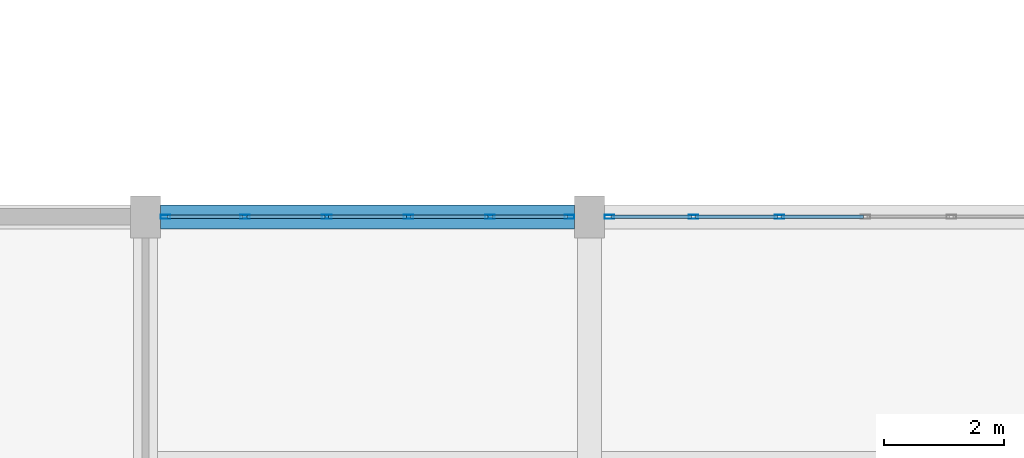
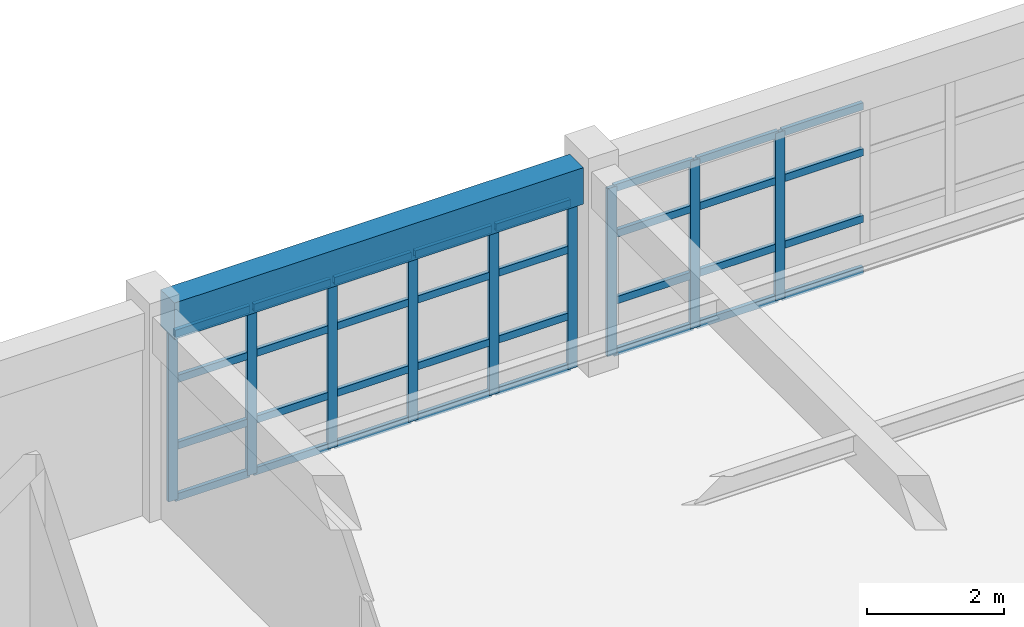
# One storey, part 26 of 150: 41 members, 1 beam, 2 elements without a shape of their own.
"""IFC4 building model written with IfcOpenShell, lengths in metres."""

from ifc_helpers import new_model, si_unit, direction, frame, origin, origin_2d, place, context, subcontext, project, spatial, rectangle, hollow_rectangle, extrude, material, material_profile, profile_set, type_object, element, aggregate, save


model = new_model("IFC4")

# Units and contexts
model_context = context("Model", 3, precision=1e-05, world=origin(), true_north=direction((0.0, 1.0)))
body_context = subcontext(model_context, "Body", "Model", "MODEL_VIEW")
ifc_project = project(units=[si_unit("LENGTHUNIT", "METRE"), si_unit("AREAUNIT", "SQUARE_METRE"), si_unit("VOLUMEUNIT", "CUBIC_METRE"), si_unit("PLANEANGLEUNIT", "RADIAN"), si_unit("MASSUNIT", "GRAM", prefix="KILO")], contexts=[model_context])

# Site, building, storey
site_placement = place(None, origin())
site = spatial("IfcSite", under=ifc_project, at=site_placement, CompositionType="ELEMENT")
building_placement = place(site_placement, origin())
building = spatial("IfcBuilding", under=site, at=building_placement, Name="Kestramere Prow Commons", CompositionType="ELEMENT")
storey_placement = place(building_placement, frame((0.0, 0.0, 4.5)))
storey = spatial("IfcBuildingStorey", under=building, at=storey_placement, Name="L01", CompositionType="ELEMENT", Elevation=4.5)

# Beam
ifc_material_1 = material(Name="Precast concrete C40/50", Category="concrete")
ifc_material_profile_1 = material_profile(ifc_material_1, rectangle(XDim=0.39990234375, YDim=0.64990234375, at=origin_2d()), Name="PC-BM 400x650")
ifc_profile_set_1 = profile_set([ifc_material_profile_1], Name="Precast concrete C40/50")
beam_type = type_object("IfcBeamType", Name="BM-MK-01 PC-BM 400x650 (EX)", PredefinedType="BEAM", material=ifc_profile_set_1)
beam_placement = place(storey_placement, frame((68.64990234375, 24.0, 3.324951171875), z_axis=(1.0, 0.0, 0.0), x_axis=(0.0, 1.0, 0.0)))
element("IfcBeam", 1, at=beam_placement, inside=storey, type_object=beam_type, Name="Market Spine L01 Beam X 3-2", PredefinedType="BEAM", context=body_context, shape_type="SweptSolid", body=[
    extrude(rectangle(XDim=0.39990234375, YDim=0.64990234375, at=origin_2d()), origin(), (0.0, 0.0, 1.0), 6.900146484375),
])

# Curtain wall, members
ifc_material_2 = material(Name="Anodised Aluminium and Low-E Glass", Category="aluminium")
curtain_wall_type_1 = type_object("IfcCurtainWallType", Name="CW-24 Glazed Curtain Wall 6800x2990", PredefinedType="USERDEFINED", material=ifc_material_2)
curtain_wall_1_placement = place(storey_placement, origin())
curtain_wall_1 = element("IfcCurtainWall", 2, at=curtain_wall_1_placement, inside=storey, type_object=curtain_wall_type_1, Name="Market L01 Courtyard Shopfront 2", ObjectType="GLAZED CURTAIN WALL", PredefinedType="USERDEFINED")
ifc_material_3 = material(Name="Anodised Aluminium 6063-T6", Category="aluminium")
ifc_material_profile_2 = material_profile(ifc_material_3, hollow_rectangle(XDim=0.06494140625, YDim=0.159912109375, WallThickness=0.00390625, at=origin_2d()), Name="ALU-MUL 65x160")
ifc_profile_set_2 = profile_set([ifc_material_profile_2], Name="Anodised Aluminium 6063-T6")
member_type_1 = type_object("IfcMemberType", Name="CW-MUL-65x160", PredefinedType="MULLION", material=ifc_profile_set_2)
member_1_placement = place(storey_placement, frame((68.732421875, 24.0, 0.0), z_axis=(0.0, 0.0, 1.0), x_axis=(0.0, 1.0, 0.0)))
member_1 = element("IfcMember", 3, at=member_1_placement, type_object=member_type_1, Name="CW-24 mullion 1", PredefinedType="MULLION", context=body_context, shape_type="SweptSolid", body=[
    extrude(hollow_rectangle(XDim=0.06494140625, YDim=0.159912109375, WallThickness=0.00390625, at=origin_2d()), origin(), (0.0, 0.0, 1.0), 2.989990234375),
])
member_2_placement = place(storey_placement, frame((70.06005859375, 24.0, 0.0), z_axis=(0.0, 0.0, 1.0), x_axis=(0.0, 1.0, 0.0)))
member_2 = element("IfcMember", 4, at=member_2_placement, type_object=member_type_1, Name="CW-24 mullion 2", PredefinedType="MULLION", context=body_context, shape_type="SweptSolid", body=[
    extrude(hollow_rectangle(XDim=0.06494140625, YDim=0.159912109375, WallThickness=0.00390625, at=origin_2d()), origin(), (0.0, 0.0, 1.0), 2.989990234375),
])
member_3_placement = place(storey_placement, frame((71.419921875, 24.0, 0.0), z_axis=(0.0, 0.0, 1.0), x_axis=(0.0, 1.0, 0.0)))
member_3 = element("IfcMember", 5, at=member_3_placement, type_object=member_type_1, Name="CW-24 mullion 3", PredefinedType="MULLION", context=body_context, shape_type="SweptSolid", body=[
    extrude(hollow_rectangle(XDim=0.06494140625, YDim=0.159912109375, WallThickness=0.00390625, at=origin_2d()), origin(), (0.0, 0.0, 1.0), 2.989990234375),
])
member_4_placement = place(storey_placement, frame((72.780029296875, 24.0, 0.0), z_axis=(0.0, 0.0, 1.0), x_axis=(0.0, 1.0, 0.0)))
member_4 = element("IfcMember", 6, at=member_4_placement, type_object=member_type_1, Name="CW-24 mullion 4", PredefinedType="MULLION", context=body_context, shape_type="SweptSolid", body=[
    extrude(hollow_rectangle(XDim=0.06494140625, YDim=0.159912109375, WallThickness=0.00390625, at=origin_2d()), origin(), (0.0, 0.0, 1.0), 2.989990234375),
])
member_5_placement = place(storey_placement, frame((74.139892578125, 24.0, 0.0), z_axis=(0.0, 0.0, 1.0), x_axis=(0.0, 1.0, 0.0)))
member_5 = element("IfcMember", 7, at=member_5_placement, type_object=member_type_1, Name="CW-24 mullion 5", PredefinedType="MULLION", context=body_context, shape_type="SweptSolid", body=[
    extrude(hollow_rectangle(XDim=0.06494140625, YDim=0.159912109375, WallThickness=0.00390625, at=origin_2d()), origin(), (0.0, 0.0, 1.0), 2.989990234375),
])
member_6_placement = place(storey_placement, frame((75.467529296875, 24.0, 0.0), z_axis=(0.0, 0.0, 1.0), x_axis=(0.0, 1.0, 0.0)))
member_6 = element("IfcMember", 8, at=member_6_placement, type_object=member_type_1, Name="CW-24 mullion 6", PredefinedType="MULLION", context=body_context, shape_type="SweptSolid", body=[
    extrude(hollow_rectangle(XDim=0.06494140625, YDim=0.159912109375, WallThickness=0.00390625, at=origin_2d()), origin(), (0.0, 0.0, 1.0), 2.989990234375),
])

curtain_wall_type_2 = type_object("IfcCurtainWallType", Name="CW-25 Glazed Curtain Wall 8600x2990", PredefinedType="USERDEFINED", material=ifc_material_2)
curtain_wall_2_placement = place(storey_placement, origin())
curtain_wall_2 = element("IfcCurtainWall", 9, at=curtain_wall_2_placement, inside=storey, type_object=curtain_wall_type_2, Name="Market L01 Courtyard Shopfront 3", ObjectType="GLAZED CURTAIN WALL", PredefinedType="USERDEFINED")
member_7_placement = place(storey_placement, frame((76.132568359375, 24.0, 0.0), z_axis=(0.0, 0.0, 1.0), x_axis=(0.0, 1.0, 0.0)))
member_7 = element("IfcMember", 10, at=member_7_placement, type_object=member_type_1, Name="CW-25 mullion 1", PredefinedType="MULLION", context=body_context, shape_type="SweptSolid", body=[
    extrude(hollow_rectangle(XDim=0.06494140625, YDim=0.159912109375, WallThickness=0.00390625, at=origin_2d()), origin(), (0.0, 0.0, 1.0), 2.989990234375),
])
member_8_placement = place(storey_placement, frame((77.533447265625, 24.0, 0.0), z_axis=(0.0, 0.0, 1.0), x_axis=(0.0, 1.0, 0.0)))
member_8 = element("IfcMember", 11, at=member_8_placement, type_object=member_type_1, Name="CW-25 mullion 2", PredefinedType="MULLION", context=body_context, shape_type="SweptSolid", body=[
    extrude(hollow_rectangle(XDim=0.06494140625, YDim=0.159912109375, WallThickness=0.00390625, at=origin_2d()), origin(), (0.0, 0.0, 1.0), 2.989990234375),
])
member_9_placement = place(storey_placement, frame((78.966552734375, 24.0, 0.0), z_axis=(0.0, 0.0, 1.0), x_axis=(0.0, 1.0, 0.0)))
member_9 = element("IfcMember", 12, at=member_9_placement, type_object=member_type_1, Name="CW-25 mullion 3", PredefinedType="MULLION", context=body_context, shape_type="SweptSolid", body=[
    extrude(hollow_rectangle(XDim=0.06494140625, YDim=0.159912109375, WallThickness=0.00390625, at=origin_2d()), origin(), (0.0, 0.0, 1.0), 2.989990234375),
])

# Member
ifc_material_profile_3 = material_profile(ifc_material_3, hollow_rectangle(XDim=0.06494140625, YDim=0.1298828125, WallThickness=0.00390625, at=origin_2d()), Name="ALU-TRN 65x130")
ifc_profile_set_3 = profile_set([ifc_material_profile_3], Name="Anodised Aluminium 6063-T6")
member_type_2 = type_object("IfcMemberType", Name="CW-TRN-65x130", PredefinedType="USERDEFINED", material=ifc_profile_set_3)
member_10_placement = place(storey_placement, frame((68.764892578125, 24.0, 0.032470703125), z_axis=(1.0, 0.0, 0.0), x_axis=(0.0, 1.0, 0.0)))
member_10 = element("IfcMember", 13, at=member_10_placement, type_object=member_type_2, Name="CW-24 transom 1.1", ObjectType="TRANSOM", PredefinedType="USERDEFINED", context=body_context, shape_type="SweptSolid", body=[
    extrude(hollow_rectangle(XDim=0.06494140625, YDim=0.1298828125, WallThickness=0.00390625, at=origin_2d()), origin(), (0.0, 0.0, 1.0), 1.2626953125),
])

member_11_placement = place(storey_placement, frame((68.764892578125, 24.0, 0.949951171875), z_axis=(1.0, 0.0, 0.0), x_axis=(0.0, 1.0, 0.0)))
member_11 = element("IfcMember", 14, at=member_11_placement, type_object=member_type_2, Name="CW-24 transom 1.2", ObjectType="TRANSOM", PredefinedType="USERDEFINED", context=body_context, shape_type="SweptSolid", body=[
    extrude(hollow_rectangle(XDim=0.06494140625, YDim=0.1298828125, WallThickness=0.00390625, at=origin_2d()), origin(), (0.0, 0.0, 1.0), 1.2626953125),
])

member_12_placement = place(storey_placement, frame((68.764892578125, 24.0, 2.139892578125), z_axis=(1.0, 0.0, 0.0), x_axis=(0.0, 1.0, 0.0)))
member_12 = element("IfcMember", 15, at=member_12_placement, type_object=member_type_2, Name="CW-24 transom 1.3", ObjectType="TRANSOM", PredefinedType="USERDEFINED", context=body_context, shape_type="SweptSolid", body=[
    extrude(hollow_rectangle(XDim=0.06494140625, YDim=0.1298828125, WallThickness=0.00390625, at=origin_2d()), origin(), (0.0, 0.0, 1.0), 1.2626953125),
])

member_13_placement = place(storey_placement, frame((68.764892578125, 24.0, 2.95751953125), z_axis=(1.0, 0.0, 0.0), x_axis=(0.0, 1.0, 0.0)))
member_13 = element("IfcMember", 16, at=member_13_placement, type_object=member_type_2, Name="CW-24 transom 1.4", ObjectType="TRANSOM", PredefinedType="USERDEFINED", context=body_context, shape_type="SweptSolid", body=[
    extrude(hollow_rectangle(XDim=0.06494140625, YDim=0.1298828125, WallThickness=0.00390625, at=origin_2d()), origin(), (0.0, 0.0, 1.0), 1.2626953125),
])

member_14_placement = place(storey_placement, frame((70.092529296875, 24.0, 0.032470703125), z_axis=(1.0, 0.0, 0.0), x_axis=(0.0, 1.0, 0.0)))
member_14 = element("IfcMember", 17, at=member_14_placement, type_object=member_type_2, Name="CW-24 transom 2.1", ObjectType="TRANSOM", PredefinedType="USERDEFINED", context=body_context, shape_type="SweptSolid", body=[
    extrude(hollow_rectangle(XDim=0.06494140625, YDim=0.1298828125, WallThickness=0.00390625, at=origin_2d()), origin(), (0.0, 0.0, 1.0), 1.294921875),
])

member_15_placement = place(storey_placement, frame((70.092529296875, 24.0, 0.949951171875), z_axis=(1.0, 0.0, 0.0), x_axis=(0.0, 1.0, 0.0)))
member_15 = element("IfcMember", 18, at=member_15_placement, type_object=member_type_2, Name="CW-24 transom 2.2", ObjectType="TRANSOM", PredefinedType="USERDEFINED", context=body_context, shape_type="SweptSolid", body=[
    extrude(hollow_rectangle(XDim=0.06494140625, YDim=0.1298828125, WallThickness=0.00390625, at=origin_2d()), origin(), (0.0, 0.0, 1.0), 1.294921875),
])

member_16_placement = place(storey_placement, frame((70.092529296875, 24.0, 2.139892578125), z_axis=(1.0, 0.0, 0.0), x_axis=(0.0, 1.0, 0.0)))
member_16 = element("IfcMember", 19, at=member_16_placement, type_object=member_type_2, Name="CW-24 transom 2.3", ObjectType="TRANSOM", PredefinedType="USERDEFINED", context=body_context, shape_type="SweptSolid", body=[
    extrude(hollow_rectangle(XDim=0.06494140625, YDim=0.1298828125, WallThickness=0.00390625, at=origin_2d()), origin(), (0.0, 0.0, 1.0), 1.294921875),
])

member_17_placement = place(storey_placement, frame((70.092529296875, 24.0, 2.95751953125), z_axis=(1.0, 0.0, 0.0), x_axis=(0.0, 1.0, 0.0)))
member_17 = element("IfcMember", 20, at=member_17_placement, type_object=member_type_2, Name="CW-24 transom 2.4", ObjectType="TRANSOM", PredefinedType="USERDEFINED", context=body_context, shape_type="SweptSolid", body=[
    extrude(hollow_rectangle(XDim=0.06494140625, YDim=0.1298828125, WallThickness=0.00390625, at=origin_2d()), origin(), (0.0, 0.0, 1.0), 1.294921875),
])

member_18_placement = place(storey_placement, frame((71.452392578125, 24.0, 0.032470703125), z_axis=(1.0, 0.0, 0.0), x_axis=(0.0, 1.0, 0.0)))
member_18 = element("IfcMember", 21, at=member_18_placement, type_object=member_type_2, Name="CW-24 transom 3.1", ObjectType="TRANSOM", PredefinedType="USERDEFINED", context=body_context, shape_type="SweptSolid", body=[
    extrude(hollow_rectangle(XDim=0.06494140625, YDim=0.1298828125, WallThickness=0.00390625, at=origin_2d()), origin(), (0.0, 0.0, 1.0), 1.295166015625),
])

member_19_placement = place(storey_placement, frame((71.452392578125, 24.0, 0.949951171875), z_axis=(1.0, 0.0, 0.0), x_axis=(0.0, 1.0, 0.0)))
member_19 = element("IfcMember", 22, at=member_19_placement, type_object=member_type_2, Name="CW-24 transom 3.2", ObjectType="TRANSOM", PredefinedType="USERDEFINED", context=body_context, shape_type="SweptSolid", body=[
    extrude(hollow_rectangle(XDim=0.06494140625, YDim=0.1298828125, WallThickness=0.00390625, at=origin_2d()), origin(), (0.0, 0.0, 1.0), 1.295166015625),
])

member_20_placement = place(storey_placement, frame((71.452392578125, 24.0, 2.139892578125), z_axis=(1.0, 0.0, 0.0), x_axis=(0.0, 1.0, 0.0)))
member_20 = element("IfcMember", 23, at=member_20_placement, type_object=member_type_2, Name="CW-24 transom 3.3", ObjectType="TRANSOM", PredefinedType="USERDEFINED", context=body_context, shape_type="SweptSolid", body=[
    extrude(hollow_rectangle(XDim=0.06494140625, YDim=0.1298828125, WallThickness=0.00390625, at=origin_2d()), origin(), (0.0, 0.0, 1.0), 1.295166015625),
])

member_21_placement = place(storey_placement, frame((71.452392578125, 24.0, 2.95751953125), z_axis=(1.0, 0.0, 0.0), x_axis=(0.0, 1.0, 0.0)))
member_21 = element("IfcMember", 24, at=member_21_placement, type_object=member_type_2, Name="CW-24 transom 3.4", ObjectType="TRANSOM", PredefinedType="USERDEFINED", context=body_context, shape_type="SweptSolid", body=[
    extrude(hollow_rectangle(XDim=0.06494140625, YDim=0.1298828125, WallThickness=0.00390625, at=origin_2d()), origin(), (0.0, 0.0, 1.0), 1.295166015625),
])

member_22_placement = place(storey_placement, frame((72.8125, 24.0, 0.032470703125), z_axis=(1.0, 0.0, 0.0), x_axis=(0.0, 1.0, 0.0)))
member_22 = element("IfcMember", 25, at=member_22_placement, type_object=member_type_2, Name="CW-24 transom 4.1", ObjectType="TRANSOM", PredefinedType="USERDEFINED", context=body_context, shape_type="SweptSolid", body=[
    extrude(hollow_rectangle(XDim=0.06494140625, YDim=0.1298828125, WallThickness=0.00390625, at=origin_2d()), origin(), (0.0, 0.0, 1.0), 1.294921875),
])

member_23_placement = place(storey_placement, frame((72.8125, 24.0, 0.949951171875), z_axis=(1.0, 0.0, 0.0), x_axis=(0.0, 1.0, 0.0)))
member_23 = element("IfcMember", 26, at=member_23_placement, type_object=member_type_2, Name="CW-24 transom 4.2", ObjectType="TRANSOM", PredefinedType="USERDEFINED", context=body_context, shape_type="SweptSolid", body=[
    extrude(hollow_rectangle(XDim=0.06494140625, YDim=0.1298828125, WallThickness=0.00390625, at=origin_2d()), origin(), (0.0, 0.0, 1.0), 1.294921875),
])

member_24_placement = place(storey_placement, frame((72.8125, 24.0, 2.139892578125), z_axis=(1.0, 0.0, 0.0), x_axis=(0.0, 1.0, 0.0)))
member_24 = element("IfcMember", 27, at=member_24_placement, type_object=member_type_2, Name="CW-24 transom 4.3", ObjectType="TRANSOM", PredefinedType="USERDEFINED", context=body_context, shape_type="SweptSolid", body=[
    extrude(hollow_rectangle(XDim=0.06494140625, YDim=0.1298828125, WallThickness=0.00390625, at=origin_2d()), origin(), (0.0, 0.0, 1.0), 1.294921875),
])

member_25_placement = place(storey_placement, frame((72.8125, 24.0, 2.95751953125), z_axis=(1.0, 0.0, 0.0), x_axis=(0.0, 1.0, 0.0)))
member_25 = element("IfcMember", 28, at=member_25_placement, type_object=member_type_2, Name="CW-24 transom 4.4", ObjectType="TRANSOM", PredefinedType="USERDEFINED", context=body_context, shape_type="SweptSolid", body=[
    extrude(hollow_rectangle(XDim=0.06494140625, YDim=0.1298828125, WallThickness=0.00390625, at=origin_2d()), origin(), (0.0, 0.0, 1.0), 1.294921875),
])

member_26_placement = place(storey_placement, frame((74.172607421875, 24.0, 0.032470703125), z_axis=(1.0, 0.0, 0.0), x_axis=(0.0, 1.0, 0.0)))
member_26 = element("IfcMember", 29, at=member_26_placement, type_object=member_type_2, Name="CW-24 transom 5.1", ObjectType="TRANSOM", PredefinedType="USERDEFINED", context=body_context, shape_type="SweptSolid", body=[
    extrude(hollow_rectangle(XDim=0.06494140625, YDim=0.1298828125, WallThickness=0.00390625, at=origin_2d()), origin(), (0.0, 0.0, 1.0), 1.262451171875),
])

member_27_placement = place(storey_placement, frame((74.172607421875, 24.0, 0.949951171875), z_axis=(1.0, 0.0, 0.0), x_axis=(0.0, 1.0, 0.0)))
member_27 = element("IfcMember", 30, at=member_27_placement, type_object=member_type_2, Name="CW-24 transom 5.2", ObjectType="TRANSOM", PredefinedType="USERDEFINED", context=body_context, shape_type="SweptSolid", body=[
    extrude(hollow_rectangle(XDim=0.06494140625, YDim=0.1298828125, WallThickness=0.00390625, at=origin_2d()), origin(), (0.0, 0.0, 1.0), 1.262451171875),
])

member_28_placement = place(storey_placement, frame((74.172607421875, 24.0, 2.139892578125), z_axis=(1.0, 0.0, 0.0), x_axis=(0.0, 1.0, 0.0)))
member_28 = element("IfcMember", 31, at=member_28_placement, type_object=member_type_2, Name="CW-24 transom 5.3", ObjectType="TRANSOM", PredefinedType="USERDEFINED", context=body_context, shape_type="SweptSolid", body=[
    extrude(hollow_rectangle(XDim=0.06494140625, YDim=0.1298828125, WallThickness=0.00390625, at=origin_2d()), origin(), (0.0, 0.0, 1.0), 1.262451171875),
])

member_29_placement = place(storey_placement, frame((74.172607421875, 24.0, 2.95751953125), z_axis=(1.0, 0.0, 0.0), x_axis=(0.0, 1.0, 0.0)))
member_29 = element("IfcMember", 32, at=member_29_placement, type_object=member_type_2, Name="CW-24 transom 5.4", ObjectType="TRANSOM", PredefinedType="USERDEFINED", context=body_context, shape_type="SweptSolid", body=[
    extrude(hollow_rectangle(XDim=0.06494140625, YDim=0.1298828125, WallThickness=0.00390625, at=origin_2d()), origin(), (0.0, 0.0, 1.0), 1.262451171875),
])

aggregate(curtain_wall_1, [member_1, member_2, member_3, member_4, member_5, member_6, member_10, member_11, member_12, member_13, member_14, member_15, member_16, member_17, member_18, member_19, member_20, member_21, member_22, member_23, member_24, member_25, member_26, member_27, member_28, member_29])

member_30_placement = place(storey_placement, frame((76.1650390625, 24.0, 0.032470703125), z_axis=(1.0, 0.0, 0.0), x_axis=(0.0, 1.0, 0.0)))
member_30 = element("IfcMember", 33, at=member_30_placement, type_object=member_type_2, Name="CW-25 transom 1.1", ObjectType="TRANSOM", PredefinedType="USERDEFINED", context=body_context, shape_type="SweptSolid", body=[
    extrude(hollow_rectangle(XDim=0.06494140625, YDim=0.1298828125, WallThickness=0.00390625, at=origin_2d()), origin(), (0.0, 0.0, 1.0), 1.335693359375),
])

member_31_placement = place(storey_placement, frame((76.1650390625, 24.0, 0.949951171875), z_axis=(1.0, 0.0, 0.0), x_axis=(0.0, 1.0, 0.0)))
member_31 = element("IfcMember", 34, at=member_31_placement, type_object=member_type_2, Name="CW-25 transom 1.2", ObjectType="TRANSOM", PredefinedType="USERDEFINED", context=body_context, shape_type="SweptSolid", body=[
    extrude(hollow_rectangle(XDim=0.06494140625, YDim=0.1298828125, WallThickness=0.00390625, at=origin_2d()), origin(), (0.0, 0.0, 1.0), 1.335693359375),
])

member_32_placement = place(storey_placement, frame((76.1650390625, 24.0, 2.139892578125), z_axis=(1.0, 0.0, 0.0), x_axis=(0.0, 1.0, 0.0)))
member_32 = element("IfcMember", 35, at=member_32_placement, type_object=member_type_2, Name="CW-25 transom 1.3", ObjectType="TRANSOM", PredefinedType="USERDEFINED", context=body_context, shape_type="SweptSolid", body=[
    extrude(hollow_rectangle(XDim=0.06494140625, YDim=0.1298828125, WallThickness=0.00390625, at=origin_2d()), origin(), (0.0, 0.0, 1.0), 1.335693359375),
])

member_33_placement = place(storey_placement, frame((76.1650390625, 24.0, 2.95751953125), z_axis=(1.0, 0.0, 0.0), x_axis=(0.0, 1.0, 0.0)))
member_33 = element("IfcMember", 36, at=member_33_placement, type_object=member_type_2, Name="CW-25 transom 1.4", ObjectType="TRANSOM", PredefinedType="USERDEFINED", context=body_context, shape_type="SweptSolid", body=[
    extrude(hollow_rectangle(XDim=0.06494140625, YDim=0.1298828125, WallThickness=0.00390625, at=origin_2d()), origin(), (0.0, 0.0, 1.0), 1.335693359375),
])

member_34_placement = place(storey_placement, frame((77.56591796875, 24.0, 0.032470703125), z_axis=(1.0, 0.0, 0.0), x_axis=(0.0, 1.0, 0.0)))
member_34 = element("IfcMember", 37, at=member_34_placement, type_object=member_type_2, Name="CW-25 transom 2.1", ObjectType="TRANSOM", PredefinedType="USERDEFINED", context=body_context, shape_type="SweptSolid", body=[
    extrude(hollow_rectangle(XDim=0.06494140625, YDim=0.1298828125, WallThickness=0.00390625, at=origin_2d()), origin(), (0.0, 0.0, 1.0), 1.3681640625),
])

member_35_placement = place(storey_placement, frame((77.56591796875, 24.0, 0.949951171875), z_axis=(1.0, 0.0, 0.0), x_axis=(0.0, 1.0, 0.0)))
member_35 = element("IfcMember", 38, at=member_35_placement, type_object=member_type_2, Name="CW-25 transom 2.2", ObjectType="TRANSOM", PredefinedType="USERDEFINED", context=body_context, shape_type="SweptSolid", body=[
    extrude(hollow_rectangle(XDim=0.06494140625, YDim=0.1298828125, WallThickness=0.00390625, at=origin_2d()), origin(), (0.0, 0.0, 1.0), 1.3681640625),
])

member_36_placement = place(storey_placement, frame((77.56591796875, 24.0, 2.139892578125), z_axis=(1.0, 0.0, 0.0), x_axis=(0.0, 1.0, 0.0)))
member_36 = element("IfcMember", 39, at=member_36_placement, type_object=member_type_2, Name="CW-25 transom 2.3", ObjectType="TRANSOM", PredefinedType="USERDEFINED", context=body_context, shape_type="SweptSolid", body=[
    extrude(hollow_rectangle(XDim=0.06494140625, YDim=0.1298828125, WallThickness=0.00390625, at=origin_2d()), origin(), (0.0, 0.0, 1.0), 1.3681640625),
])

member_37_placement = place(storey_placement, frame((77.56591796875, 24.0, 2.95751953125), z_axis=(1.0, 0.0, 0.0), x_axis=(0.0, 1.0, 0.0)))
member_37 = element("IfcMember", 40, at=member_37_placement, type_object=member_type_2, Name="CW-25 transom 2.4", ObjectType="TRANSOM", PredefinedType="USERDEFINED", context=body_context, shape_type="SweptSolid", body=[
    extrude(hollow_rectangle(XDim=0.06494140625, YDim=0.1298828125, WallThickness=0.00390625, at=origin_2d()), origin(), (0.0, 0.0, 1.0), 1.3681640625),
])

member_38_placement = place(storey_placement, frame((78.999267578125, 24.0, 0.032470703125), z_axis=(1.0, 0.0, 0.0), x_axis=(0.0, 1.0, 0.0)))
member_38 = element("IfcMember", 41, at=member_38_placement, type_object=member_type_2, Name="CW-25 transom 3.1", ObjectType="TRANSOM", PredefinedType="USERDEFINED", context=body_context, shape_type="SweptSolid", body=[
    extrude(hollow_rectangle(XDim=0.06494140625, YDim=0.1298828125, WallThickness=0.00390625, at=origin_2d()), origin(), (0.0, 0.0, 1.0), 1.3681640625),
])

member_39_placement = place(storey_placement, frame((78.999267578125, 24.0, 0.949951171875), z_axis=(1.0, 0.0, 0.0), x_axis=(0.0, 1.0, 0.0)))
member_39 = element("IfcMember", 42, at=member_39_placement, type_object=member_type_2, Name="CW-25 transom 3.2", ObjectType="TRANSOM", PredefinedType="USERDEFINED", context=body_context, shape_type="SweptSolid", body=[
    extrude(hollow_rectangle(XDim=0.06494140625, YDim=0.1298828125, WallThickness=0.00390625, at=origin_2d()), origin(), (0.0, 0.0, 1.0), 1.3681640625),
])

member_40_placement = place(storey_placement, frame((78.999267578125, 24.0, 2.139892578125), z_axis=(1.0, 0.0, 0.0), x_axis=(0.0, 1.0, 0.0)))
member_40 = element("IfcMember", 43, at=member_40_placement, type_object=member_type_2, Name="CW-25 transom 3.3", ObjectType="TRANSOM", PredefinedType="USERDEFINED", context=body_context, shape_type="SweptSolid", body=[
    extrude(hollow_rectangle(XDim=0.06494140625, YDim=0.1298828125, WallThickness=0.00390625, at=origin_2d()), origin(), (0.0, 0.0, 1.0), 1.3681640625),
])

member_41_placement = place(storey_placement, frame((78.999267578125, 24.0, 2.95751953125), z_axis=(1.0, 0.0, 0.0), x_axis=(0.0, 1.0, 0.0)))
member_41 = element("IfcMember", 44, at=member_41_placement, type_object=member_type_2, Name="CW-25 transom 3.4", ObjectType="TRANSOM", PredefinedType="USERDEFINED", context=body_context, shape_type="SweptSolid", body=[
    extrude(hollow_rectangle(XDim=0.06494140625, YDim=0.1298828125, WallThickness=0.00390625, at=origin_2d()), origin(), (0.0, 0.0, 1.0), 1.3681640625),
])

aggregate(curtain_wall_2, [member_7, member_8, member_9, member_30, member_31, member_32, member_33, member_34, member_35, member_36, member_37, member_38, member_39, member_40, member_41])

save(model, "model.ifc")
